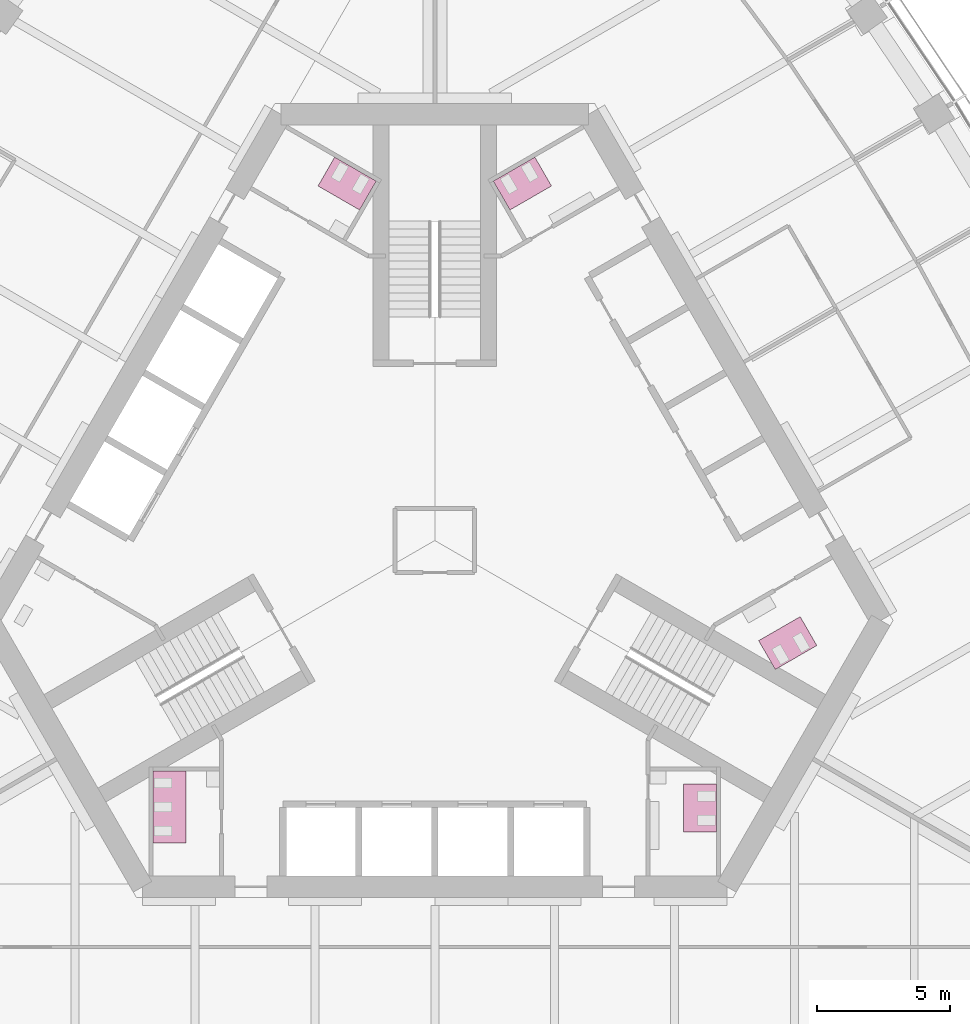
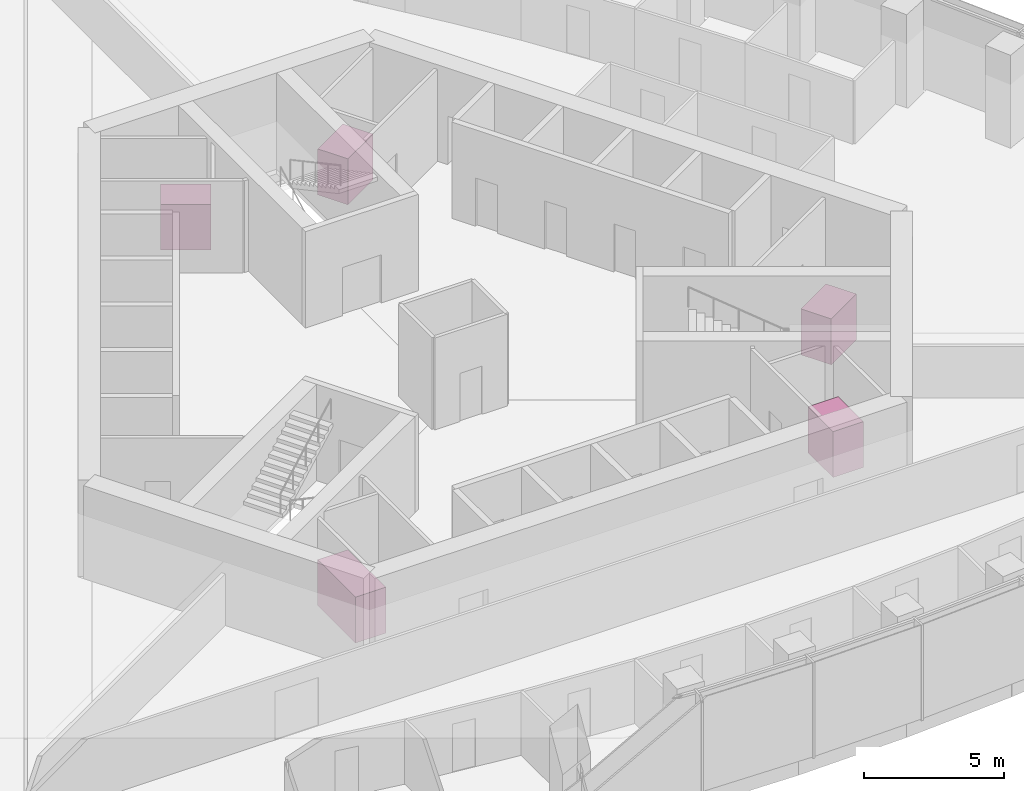
# One storey, part 20 of 20: 5 furniture elements.
"""IFC4 building model written with IfcOpenShell, lengths in metres."""

from ifc_helpers import new_model, si_unit, direction, frame, origin, place, context, subcontext, project, spatial, polyline, outline, extrude, material, type_object, element, save


model = new_model("IFC4")

# Units and contexts
model_context = context("Model", 3, precision=1e-05, world=origin(), true_north=direction((0.0, 1.0)))
body_context = subcontext(model_context, "Body", "Model", "MODEL_VIEW")
ifc_project = project(units=[si_unit("LENGTHUNIT", "METRE"), si_unit("AREAUNIT", "SQUARE_METRE"), si_unit("VOLUMEUNIT", "CUBIC_METRE"), si_unit("PLANEANGLEUNIT", "RADIAN"), si_unit("MASSUNIT", "GRAM", prefix="KILO")], contexts=[model_context])

# Site, building, storey
site_placement = place(None, origin())
site = spatial("IfcSite", under=ifc_project, at=site_placement, CompositionType="ELEMENT")
building_placement = place(site_placement, origin())
building = spatial("IfcBuilding", under=site, at=building_placement, Name="Trefoil Bronze Tower", CompositionType="ELEMENT")
storey_placement = place(building_placement, frame((0.0, 0.0, 219.10009765625)))
storey = spatial("IfcBuildingStorey", under=building, at=storey_placement, Name="L50", CompositionType="ELEMENT", Elevation=219.10009765625)

# Furniture
ifc_material_1 = material(Name="Compact laminate cubicles", Category="plastic")
furniture_type_1 = type_object("IfcFurnitureType", Name="WC cubicle range 2 cubicles", AssemblyPlace="FACTORY", PredefinedType="USERDEFINED", material=ifc_material_1)
furniture_1_placement = place(storey_placement, origin())
element("IfcFurniture", 1, at=furniture_1_placement, inside=storey, type_object=furniture_type_1, Name="WC cubicle range WC (men) L50", ObjectType="WC cubicle range", PredefinedType="USERDEFINED", context=body_context, shape_type="SweptSolid", body=[
    extrude(outline(polyline([(9.3349609375, -9.14990234375), (10.5849609375, -9.14990234375), (10.5849609375, -10.949951171875), (9.3349609375, -10.949951171875), (9.3349609375, -9.14990234375)])), origin(), (0.0, 0.0, 1.0), 2.0),
])
furniture_2_placement = place(storey_placement, origin())
element("IfcFurniture", 2, at=furniture_2_placement, inside=storey, type_object=furniture_type_1, Name="WC cubicle range WC (women) L50", ObjectType="WC cubicle range", PredefinedType="USERDEFINED", context=body_context, shape_type="SweptSolid", body=[
    extrude(outline(polyline([(12.15869140625, -3.75927734375), (12.78369140625, -4.841796875), (14.342529296875, -3.94189453125), (13.717529296875, -2.859375), (12.15869140625, -3.75927734375)])), origin(), (0.0, 0.0, 1.0), 2.0),
])
furniture_3_placement = place(storey_placement, origin())
element("IfcFurniture", 3, at=furniture_3_placement, inside=storey, type_object=furniture_type_1, Name="WC cubicle range WC (men) L50", ObjectType="WC cubicle range", PredefinedType="USERDEFINED", context=body_context, shape_type="SweptSolid", body=[
    extrude(outline(polyline([(2.82373046875, 12.409423828125), (2.19873046875, 13.491943359375), (3.757568359375, 14.391845703125), (4.382568359375, 13.309326171875), (2.82373046875, 12.409423828125)])), origin(), (0.0, 0.0, 1.0), 2.0),
])
furniture_4_placement = place(storey_placement, origin())
element("IfcFurniture", 4, at=furniture_4_placement, inside=storey, type_object=furniture_type_1, Name="WC cubicle range WC (women) L50", ObjectType="WC cubicle range", PredefinedType="USERDEFINED", context=body_context, shape_type="SweptSolid", body=[
    extrude(outline(polyline([(-2.82373046875, 12.409423828125), (-2.19873046875, 13.491943359375), (-3.757568359375, 14.391845703125), (-4.382568359375, 13.309326171875), (-2.82373046875, 12.409423828125)])), origin(), (0.0, 0.0, 1.0), 2.0),
])
ifc_material_2 = material(Name="Compact laminate cubicles", Category="plastic")
furniture_type_2 = type_object("IfcFurnitureType", Name="WC cubicle range 3 cubicles", AssemblyPlace="FACTORY", PredefinedType="USERDEFINED", material=ifc_material_2)
furniture_5_placement = place(storey_placement, origin())
element("IfcFurniture", 5, at=furniture_5_placement, inside=storey, type_object=furniture_type_2, Name="WC cubicle range WC (women) L50", ObjectType="WC cubicle range", PredefinedType="USERDEFINED", context=body_context, shape_type="SweptSolid", body=[
    extrude(outline(polyline([(-9.3349609375, -8.64990234375), (-10.5849609375, -8.64990234375), (-10.5849609375, -11.35009765625), (-9.3349609375, -11.35009765625), (-9.3349609375, -8.64990234375)])), origin(), (0.0, 0.0, 1.0), 2.0),
])

save(model, "model.ifc")
